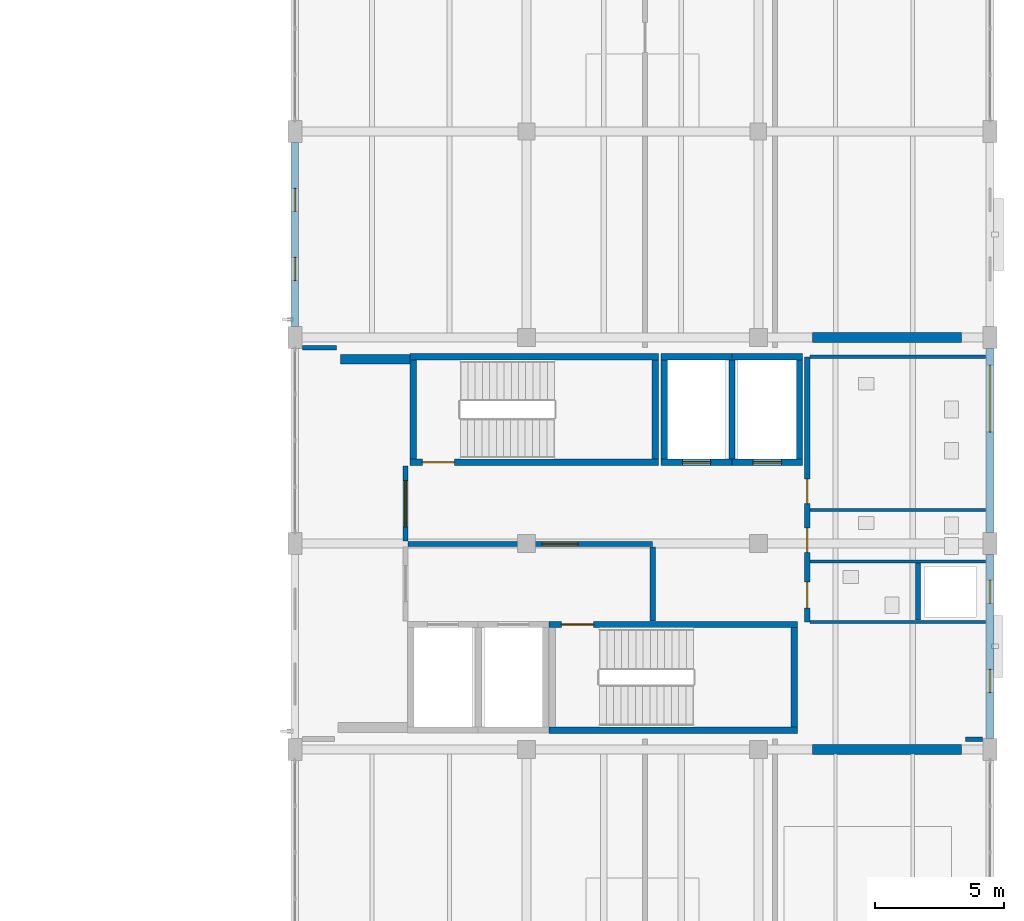
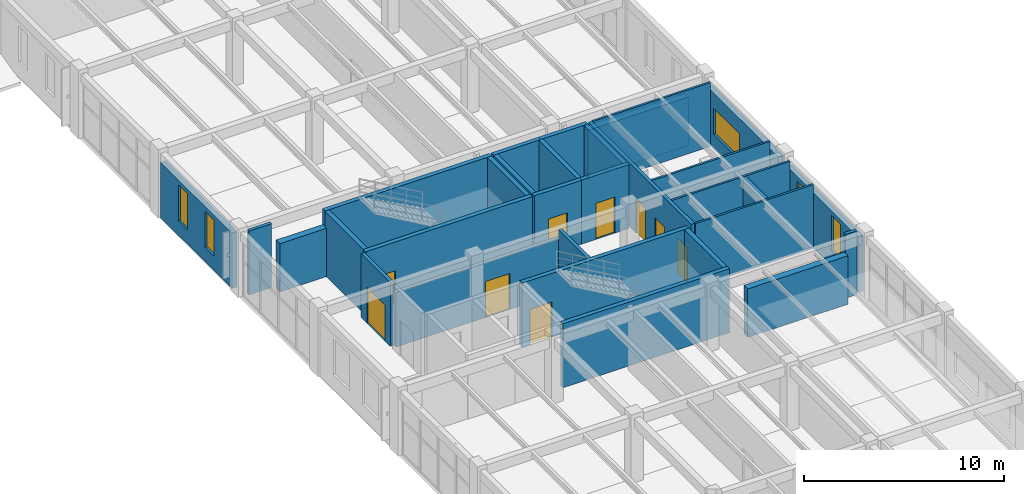
# One storey, part 59 of 71: 31 walls, 9 doors, 5 windows, 14 openings.
"""IFC4 building model written with IfcOpenShell, lengths in metres."""

from ifc_helpers import new_model, si_unit, derived_unit, direction, frame, frame_2d, origin, place, context, subcontext, project, spatial, rectangle, extrude, material, layer, layer_set, type_object, element, fill, save


model = new_model("IFC4")

# Units and contexts
model_context = context("Model", 3, precision=1e-05, world=origin(), true_north=direction((0.0, 1.0)))
body_context = subcontext(model_context, "Body", "Model", "MODEL_VIEW")
ifc_project = project(units=[si_unit("LENGTHUNIT", "METRE"), si_unit("AREAUNIT", "SQUARE_METRE"), si_unit("VOLUMEUNIT", "CUBIC_METRE"), si_unit("PLANEANGLEUNIT", "RADIAN"), si_unit("MASSUNIT", "GRAM", prefix="KILO"), derived_unit("THERMALTRANSMITTANCEUNIT", [(si_unit("MASSUNIT", "GRAM", prefix="KILO"), 1), (si_unit("TIMEUNIT", "SECOND"), -3), (si_unit("THERMODYNAMICTEMPERATUREUNIT", "KELVIN"), -1)])], contexts=[model_context])

# Site, building, storey
site_placement = place(None, origin())
site = spatial("IfcSite", under=ifc_project, at=site_placement, CompositionType="ELEMENT")
building_placement = place(site_placement, origin())
building = spatial("IfcBuilding", under=site, at=building_placement, Name="Zhenchuan Archway Interchange", CompositionType="ELEMENT")
storey_placement = place(building_placement, frame((0.0, 0.0, 18.60009765625)))
storey = spatial("IfcBuildingStorey", under=building, at=storey_placement, Name="L04", CompositionType="ELEMENT", Elevation=18.60009765625)

# Wall, openings, windows
ifc_material_1 = material(Name="Terracotta Masonry", Category="masonry")
ifc_layer_1 = layer(ifc_material_1, 0.300048828125)
ifc_layer_set_1 = layer_set([ifc_layer_1], Name="Terracotta Masonry")
wall_type_1 = type_object("IfcWallType", Name="EW_TERRA_300", PredefinedType="STANDARD", material=ifc_layer_set_1)
wall_1_placement = place(storey_placement, frame((144.0, 64.423095703125, 0.0), z_axis=(0.0, 0.0, 1.0), x_axis=(0.0, 1.0, 0.0)))
wall_1 = element("IfcWall", 1, at=wall_1_placement, inside=storey, type_object=wall_type_1, Name="Exterior wall L04-011", PredefinedType="STANDARD", context=body_context, shape_type="SweptSolid", body=[
    extrude(rectangle(XDim=7.15380859375, YDim=0.300048828125, at=frame_2d((3.576904296875, 0.0))), origin(), (0.0, 0.0, 1.0), 3.389892578125),
])
opening_1_placement = place(wall_1_placement, frame((1.78466796875, 0.0, 0.89990234375)))
opening_1 = element("IfcOpeningElement", 2, at=opening_1_placement, cuts=wall_1, Name="Opening W-12", PredefinedType="OPENING", context=body_context, shape_type="SweptSolid", body=[
    extrude(rectangle(XDim=0.89990234375, YDim=2.199951171875, at=frame_2d((0.449951171875, 1.10009765625))), frame((0.0, 0.162109375, 0.0), z_axis=(0.0, -1.0, 0.0), x_axis=(1.0, 0.0, 0.0)), (0.0, 0.0, 1.0), 0.323974609375),
])
opening_2_placement = place(wall_1_placement, frame((4.46923828125, 0.0, 0.89990234375)))
opening_2 = element("IfcOpeningElement", 3, at=opening_2_placement, cuts=wall_1, Name="Opening W-12", PredefinedType="OPENING", context=body_context, shape_type="SweptSolid", body=[
    extrude(rectangle(XDim=0.89990234375, YDim=2.199951171875, at=frame_2d((0.449951171875, 1.10009765625))), frame((0.0, 0.162109375, 0.0), z_axis=(0.0, -1.0, 0.0), x_axis=(1.0, 0.0, 0.0)), (0.0, 0.0, 1.0), 0.323974609375),
])
ifc_material_2 = material(Name="Double Low-E Insulated Glazing", Category="glass")
window_type_1 = type_object("IfcWindowType", Name="WN_SLOT_900x2200", PartitioningType="SINGLE_PANEL", PredefinedType="WINDOW", material=ifc_material_2)
window_1_placement = place(opening_1_placement, origin())
window_1 = element("IfcWindow", 4, at=window_1_placement, inside=storey, type_object=window_type_1, Name="Window L04-0318", OverallHeight=2.199951171875, OverallWidth=0.89990234375, PartitioningType="SINGLE_PANEL", PredefinedType="WINDOW", context=body_context, shape_type="SweptSolid", body=[
    extrude(rectangle(XDim=0.89990234375, YDim=2.199951171875, at=frame_2d((0.449951171875, 1.10009765625))), frame((0.0, 0.030029296875, 0.0), z_axis=(0.0, -1.0, 0.0), x_axis=(1.0, 0.0, 0.0)), (0.0, 0.0, 1.0), 0.06005859375),
])
fill(opening_1, window_1)
window_2_placement = place(opening_2_placement, origin())
window_2 = element("IfcWindow", 5, at=window_2_placement, inside=storey, type_object=window_type_1, Name="Window L04-0319", OverallHeight=2.199951171875, OverallWidth=0.89990234375, PartitioningType="SINGLE_PANEL", PredefinedType="WINDOW", context=body_context, shape_type="SweptSolid", body=[
    extrude(rectangle(XDim=0.89990234375, YDim=2.199951171875, at=frame_2d((0.449951171875, 1.10009765625))), frame((0.0, 0.030029296875, 0.0), z_axis=(0.0, -1.0, 0.0), x_axis=(1.0, 0.0, 0.0)), (0.0, 0.0, 1.0), 0.06005859375),
])
fill(opening_2, window_2)

# Wall, opening, window
wall_2_placement = place(storey_placement, frame((171.0, 63.576904296875, 0.0), z_axis=(0.0, 0.0, 1.0), x_axis=(0.0, -1.0, 0.0)))
wall_2 = element("IfcWall", 6, at=wall_2_placement, inside=storey, type_object=wall_type_1, Name="Exterior wall L04-024", PredefinedType="STANDARD", context=body_context, shape_type="SweptSolid", body=[
    extrude(rectangle(XDim=7.15380859375, YDim=0.300048828125, at=frame_2d((3.576904296875, 0.0))), origin(), (0.0, 0.0, 1.0), 3.43994140625),
])
opening_3_placement = place(wall_2_placement, frame((0.6513671875, 0.0, 0.89990234375)))
opening_3 = element("IfcOpeningElement", 7, at=opening_3_placement, cuts=wall_2, Name="Opening W-09", PredefinedType="OPENING", context=body_context, shape_type="SweptSolid", body=[
    extrude(rectangle(XDim=2.60009765625, YDim=1.60009765625, at=frame_2d((1.300048828125, 0.800048828125))), frame((0.0, 0.162109375, 0.0), z_axis=(0.0, -1.0, 0.0), x_axis=(1.0, 0.0, 0.0)), (0.0, 0.0, 1.0), 0.323974609375),
])
window_type_2 = type_object("IfcWindowType", Name="WN_MOD_2600x1600", PartitioningType="SINGLE_PANEL", PredefinedType="WINDOW", material=ifc_material_2)
window_3_placement = place(opening_3_placement, origin())
window_3 = element("IfcWindow", 8, at=window_3_placement, inside=storey, type_object=window_type_2, Name="Window L04-0330", OverallHeight=1.60009765625, OverallWidth=2.60009765625, PartitioningType="SINGLE_PANEL", PredefinedType="WINDOW", context=body_context, shape_type="SweptSolid", body=[
    extrude(rectangle(XDim=2.60009765625, YDim=1.60009765625, at=frame_2d((1.300048828125, 0.800048828125))), frame((0.0, 0.030029296875, 0.0), z_axis=(0.0, -1.0, 0.0), x_axis=(1.0, 0.0, 0.0)), (0.0, 0.0, 1.0), 0.06005859375),
])
fill(opening_3, window_3)

# Wall, openings, windows
wall_3_placement = place(storey_placement, frame((171.0, 55.576904296875, 0.0), z_axis=(0.0, 0.0, 1.0), x_axis=(0.0, -1.0, 0.0)))
wall_3 = element("IfcWall", 9, at=wall_3_placement, inside=storey, type_object=wall_type_1, Name="Exterior wall L04-025", PredefinedType="STANDARD", context=body_context, shape_type="SweptSolid", body=[
    extrude(rectangle(XDim=7.15380859375, YDim=0.300048828125, at=frame_2d((3.576904296875, 0.0))), origin(), (0.0, 0.0, 1.0), 3.389892578125),
])
opening_4_placement = place(wall_3_placement, frame((1.001953125, 0.0, 0.89990234375)))
opening_4 = element("IfcOpeningElement", 10, at=opening_4_placement, cuts=wall_3, Name="Opening W-12", PredefinedType="OPENING", context=body_context, shape_type="SweptSolid", body=[
    extrude(rectangle(XDim=0.89990234375, YDim=2.199951171875, at=frame_2d((0.449951171875, 1.10009765625))), frame((0.0, 0.162109375, 0.0), z_axis=(0.0, -1.0, 0.0), x_axis=(1.0, 0.0, 0.0)), (0.0, 0.0, 1.0), 0.323974609375),
])
opening_5_placement = place(wall_3_placement, frame((4.46923828125, 0.0, 0.89990234375)))
opening_5 = element("IfcOpeningElement", 11, at=opening_5_placement, cuts=wall_3, Name="Opening W-12", PredefinedType="OPENING", context=body_context, shape_type="SweptSolid", body=[
    extrude(rectangle(XDim=0.89990234375, YDim=2.199951171875, at=frame_2d((0.449951171875, 1.10009765625))), frame((0.0, 0.162109375, 0.0), z_axis=(0.0, -1.0, 0.0), x_axis=(1.0, 0.0, 0.0)), (0.0, 0.0, 1.0), 0.323974609375),
])
window_4_placement = place(opening_4_placement, origin())
window_4 = element("IfcWindow", 12, at=window_4_placement, inside=storey, type_object=window_type_1, Name="Window L04-0331", OverallHeight=2.199951171875, OverallWidth=0.89990234375, PartitioningType="SINGLE_PANEL", PredefinedType="WINDOW", context=body_context, shape_type="SweptSolid", body=[
    extrude(rectangle(XDim=0.89990234375, YDim=2.199951171875, at=frame_2d((0.449951171875, 1.10009765625))), frame((0.0, 0.030029296875, 0.0), z_axis=(0.0, -1.0, 0.0), x_axis=(1.0, 0.0, 0.0)), (0.0, 0.0, 1.0), 0.06005859375),
])
fill(opening_4, window_4)
window_5_placement = place(opening_5_placement, origin())
window_5 = element("IfcWindow", 13, at=window_5_placement, inside=storey, type_object=window_type_1, Name="Window L04-0332", OverallHeight=2.199951171875, OverallWidth=0.89990234375, PartitioningType="SINGLE_PANEL", PredefinedType="WINDOW", context=body_context, shape_type="SweptSolid", body=[
    extrude(rectangle(XDim=0.89990234375, YDim=2.199951171875, at=frame_2d((0.449951171875, 1.10009765625))), frame((0.0, 0.030029296875, 0.0), z_axis=(0.0, -1.0, 0.0), x_axis=(1.0, 0.0, 0.0)), (0.0, 0.0, 1.0), 0.06005859375),
])
fill(opening_5, window_5)

# Walls
ifc_material_3 = material(Name="Concrete C50", Category="concrete")
ifc_layer_2 = layer(ifc_material_3, 0.3798828125)
ifc_layer_set_2 = layer_set([ifc_layer_2], Name="Concrete C50")
wall_type_2 = type_object("IfcWallType", Name="WL_CORE_380", PredefinedType="SHEAR", material=ifc_layer_set_2)
wall_4_placement = place(storey_placement, frame((145.77490234375, 63.14990234375, 0.0), z_axis=(0.0, 0.0, 1.0), x_axis=(1.0, 0.0, 0.0)))
element("IfcWall", 14, at=wall_4_placement, inside=storey, type_object=wall_type_2, Name="Operations lateral shear wall W-N (L04)", PredefinedType="SHEAR", context=body_context, shape_type="SweptSolid", body=[
    extrude(rectangle(XDim=2.7001953125, YDim=0.3798828125, at=frame_2d((1.35009765625, 0.0))), origin(), (0.0, 0.0, 1.0), 2.9599609375),
])
for number, where, z_axis, x_axis, name in (
    (15, (164.10009765625, 48.0, 0.0), (0.0, 0.0, 1.0), (1.0, 0.0, 0.0), "Operations lateral shear wall E-S (L04)"),
    (16, (164.10009765625, 64.0, 0.0), (0.0, 0.0, 1.0), (1.0, 0.0, 0.0), "Operations lateral shear wall E-N (L04)"),
):
    element("IfcWall", number, at=place(storey_placement, frame(where, z_axis=z_axis, x_axis=x_axis)), inside=storey, type_object=wall_type_2, Name=name, PredefinedType="SHEAR", context=body_context, shape_type="SweptSolid", body=[
        extrude(rectangle(XDim=5.7998046875, YDim=0.3798828125, at=frame_2d((2.89990234375, 0.0))), origin(), (0.0, 0.0, 1.0), 2.9599609375),
    ])

# Wall, opening, door
ifc_material_4 = material(Name="Autoclaved Aerated Concrete Block", Category="concrete")
ifc_layer_3 = layer(ifc_material_4, 0.199951171875)
ifc_layer_set_3 = layer_set([ifc_layer_3], Name="Autoclaved Aerated Concrete Block")
wall_type_3 = type_object("IfcWallType", Name="WL_FIRE_200", PredefinedType="STANDARD", material=ifc_layer_set_3)
wall_5_placement = place(storey_placement, frame((148.39990234375, 55.97998046875, 0.0), z_axis=(0.0, 0.0, 1.0), x_axis=(1.0, 0.0, 0.0)))
wall_5 = element("IfcWall", 17, at=wall_5_placement, inside=storey, type_object=wall_type_3, Name="Firefighting lift lobby smoke divider (L04)", PredefinedType="STANDARD", context=body_context, shape_type="SweptSolid", body=[
    extrude(rectangle(XDim=9.5, YDim=0.199951171875, at=frame_2d((4.75, 0.0))), origin(), (0.0, 0.0, 1.0), 3.33984375),
])
opening_6_placement = place(wall_5_placement, frame((5.199951171875, 0.0, 0.0)))
opening_6 = element("IfcOpeningElement", 18, at=opening_6_placement, cuts=wall_5, Name="Opening FD-04", PredefinedType="OPENING", context=body_context, shape_type="SweptSolid", body=[
    extrude(rectangle(XDim=1.39990234375, YDim=2.199951171875, at=frame_2d((0.699951171875, 1.10009765625))), frame((0.0, 0.11181640625, 0.0), z_axis=(0.0, -1.0, 0.0), x_axis=(1.0, 0.0, 0.0)), (0.0, 0.0, 1.0), 0.223876953125),
])
ifc_material_5 = material(Name="Painted Galvanised Steel", Category="steel")
door_type_1 = type_object("IfcDoorType", Name="DR_LOB_FD60", OperationType="DOUBLE_DOOR_SINGLE_SWING", PredefinedType="DOOR", material=ifc_material_5)
door_1_placement = place(opening_6_placement, origin())
door_1 = element("IfcDoor", 19, at=door_1_placement, inside=storey, type_object=door_type_1, Name="Firefighting to passenger lobby smoke door (L04)", OperationType="DOUBLE_DOOR_SINGLE_SWING", OverallHeight=2.199951171875, OverallWidth=1.39990234375, PredefinedType="DOOR", context=body_context, shape_type="SweptSolid", body=[
    extrude(rectangle(XDim=1.39990234375, YDim=2.199951171875, at=frame_2d((0.699951171875, 1.10009765625))), frame((0.0, 0.02490234375, 0.0), z_axis=(0.0, -1.0, 0.0), x_axis=(1.0, 0.0, 0.0)), (0.0, 0.0, 1.0), 0.050048828125),
])
fill(opening_6, door_1)

# Wall
wall_6_placement = place(storey_placement, frame((157.89990234375, 52.989990234375, 0.0), z_axis=(0.0, 0.0, 1.0), x_axis=(0.0, 1.0, 0.0)))
element("IfcWall", 20, at=wall_6_placement, inside=storey, type_object=wall_type_3, Name="Firefighting lift lobby east fire wall (L04)", PredefinedType="STANDARD", context=body_context, shape_type="SweptSolid", body=[
    extrude(rectangle(XDim=2.880126953125, YDim=0.199951171875, at=frame_2d((1.43994140625, 0.0))), origin(), (0.0, 0.0, 1.0), 3.909912109375),
])

# Wall, opening, door
wall_7_placement = place(storey_placement, frame((148.300048828125, 56.090087890625, 0.0), z_axis=(0.0, 0.0, 1.0), x_axis=(0.0, 1.0, 0.0)))
wall_7 = element("IfcWall", 21, at=wall_7_placement, inside=storey, type_object=wall_type_3, Name="Passenger lift lobby west fire wall (L04)", PredefinedType="STANDARD", context=body_context, shape_type="SweptSolid", body=[
    extrude(rectangle(XDim=2.919921875, YDim=0.199951171875, at=frame_2d((1.4599609375, 0.0))), origin(), (0.0, 0.0, 1.0), 3.909912109375),
])
opening_7_placement = place(wall_7_placement, frame((0.550048828125, 0.0, 0.0)))
opening_7 = element("IfcOpeningElement", 22, at=opening_7_placement, cuts=wall_7, Name="Opening ID-01", PredefinedType="OPENING", context=body_context, shape_type="SweptSolid", body=[
    extrude(rectangle(XDim=1.800048828125, YDim=2.199951171875, at=frame_2d((0.89990234375, 1.10009765625))), frame((0.0, 0.11181640625, 0.0), z_axis=(0.0, -1.0, 0.0), x_axis=(1.0, 0.0, 0.0)), (0.0, 0.0, 1.0), 0.223876953125),
])
ifc_material_6 = material(Name="Anodised Aluminium", Category="aluminium")
door_type_2 = type_object("IfcDoorType", Name="DR_LOBBY_DBL", OperationType="DOUBLE_DOOR_SINGLE_SWING", PredefinedType="DOOR", material=ifc_material_6)
door_2_placement = place(opening_7_placement, origin())
door_2 = element("IfcDoor", 23, at=door_2_placement, inside=storey, type_object=door_type_2, Name="Passenger lift lobby entrance door (L04)", OperationType="DOUBLE_DOOR_SINGLE_SWING", OverallHeight=2.199951171875, OverallWidth=1.800048828125, PredefinedType="DOOR", context=body_context, shape_type="SweptSolid", body=[
    extrude(rectangle(XDim=1.800048828125, YDim=2.199951171875, at=frame_2d((0.89990234375, 1.10009765625))), frame((0.0, 0.02490234375, 0.0), z_axis=(0.0, -1.0, 0.0), x_axis=(1.0, 0.0, 0.0)), (0.0, 0.0, 1.0), 0.050048828125),
])
fill(opening_7, door_2)

# Wall, openings, doors
wall_8_placement = place(storey_placement, frame((163.89990234375, 52.949951171875, 0.0), z_axis=(0.0, 0.0, 1.0), x_axis=(0.0, 1.0, 0.0)))
wall_8 = element("IfcWall", 24, at=wall_8_placement, inside=storey, type_object=wall_type_3, Name="Sanitary block west wall (L04)", PredefinedType="STANDARD", context=body_context, shape_type="SweptSolid", body=[
    extrude(rectangle(XDim=10.300048828125, YDim=0.199951171875, at=frame_2d((5.14990234375, 0.0))), origin(), (0.0, 0.0, 1.0), 3.909912109375),
])
opening_8_placement = place(wall_8_placement, frame((0.550048828125, 0.0, 0.0)))
opening_8 = element("IfcOpeningElement", 25, at=opening_8_placement, cuts=wall_8, Name="Opening ID-02", PredefinedType="OPENING", context=body_context, shape_type="SweptSolid", body=[
    extrude(rectangle(XDim=1.0, YDim=2.10009765625, at=frame_2d((0.5, 1.050048828125))), frame((0.0, 0.11181640625, 0.0), z_axis=(0.0, -1.0, 0.0), x_axis=(1.0, 0.0, 0.0)), (0.0, 0.0, 1.0), 0.223876953125),
])
opening_9_placement = place(wall_8_placement, frame((2.699951171875, 0.0, 0.0)))
opening_9 = element("IfcOpeningElement", 26, at=opening_9_placement, cuts=wall_8, Name="Opening ID-03", PredefinedType="OPENING", context=body_context, shape_type="SweptSolid", body=[
    extrude(rectangle(XDim=0.949951171875, YDim=2.10009765625, at=frame_2d((0.47509765625, 1.050048828125))), frame((0.0, 0.11181640625, 0.0), z_axis=(0.0, -1.0, 0.0), x_axis=(1.0, 0.0, 0.0)), (0.0, 0.0, 1.0), 0.223876953125),
])
opening_10_placement = place(wall_8_placement, frame((4.60009765625, 0.0, 0.0)))
opening_10 = element("IfcOpeningElement", 27, at=opening_10_placement, cuts=wall_8, Name="Opening ID-03", PredefinedType="OPENING", context=body_context, shape_type="SweptSolid", body=[
    extrude(rectangle(XDim=0.949951171875, YDim=2.10009765625, at=frame_2d((0.47509765625, 1.050048828125))), frame((0.0, 0.11181640625, 0.0), z_axis=(0.0, -1.0, 0.0), x_axis=(1.0, 0.0, 0.0)), (0.0, 0.0, 1.0), 0.223876953125),
])
ifc_material_7 = material(Name="Hardwood Timber", Category="wood")
door_type_3 = type_object("IfcDoorType", Name="DR_OPS_100", OperationType="NOTDEFINED", PredefinedType="DOOR", material=ifc_material_7)
door_3_placement = place(opening_8_placement, origin())
door_3 = element("IfcDoor", 28, at=door_3_placement, inside=storey, type_object=door_type_3, Name="Accessible WC door (L04)", OperationType="SINGLE_SWING_LEFT", OverallHeight=2.10009765625, OverallWidth=1.0, PredefinedType="DOOR", context=body_context, shape_type="SweptSolid", body=[
    extrude(rectangle(XDim=1.0, YDim=2.10009765625, at=frame_2d((0.5, 1.050048828125))), frame((0.0, 0.02490234375, 0.0), z_axis=(0.0, -1.0, 0.0), x_axis=(1.0, 0.0, 0.0)), (0.0, 0.0, 1.0), 0.050048828125),
])
fill(opening_8, door_3)
door_type_4 = type_object("IfcDoorType", Name="DR_WC_95", OperationType="NOTDEFINED", PredefinedType="DOOR", material=ifc_material_7)
door_4_placement = place(opening_9_placement, origin())
door_4 = element("IfcDoor", 29, at=door_4_placement, inside=storey, type_object=door_type_4, Name="Male toilet door (L04)", OperationType="SINGLE_SWING_RIGHT", OverallHeight=2.10009765625, OverallWidth=0.949951171875, PredefinedType="DOOR", context=body_context, shape_type="SweptSolid", body=[
    extrude(rectangle(XDim=0.949951171875, YDim=2.10009765625, at=frame_2d((0.47509765625, 1.050048828125))), frame((0.0, 0.02490234375, 0.0), z_axis=(0.0, -1.0, 0.0), x_axis=(1.0, 0.0, 0.0)), (0.0, 0.0, 1.0), 0.050048828125),
])
fill(opening_9, door_4)
door_5_placement = place(opening_10_placement, origin())
door_5 = element("IfcDoor", 30, at=door_5_placement, inside=storey, type_object=door_type_4, Name="Female toilet door (L04)", OperationType="SINGLE_SWING_LEFT", OverallHeight=2.10009765625, OverallWidth=0.949951171875, PredefinedType="DOOR", context=body_context, shape_type="SweptSolid", body=[
    extrude(rectangle(XDim=0.949951171875, YDim=2.10009765625, at=frame_2d((0.47509765625, 1.050048828125))), frame((0.0, 0.02490234375, 0.0), z_axis=(0.0, -1.0, 0.0), x_axis=(1.0, 0.0, 0.0)), (0.0, 0.0, 1.0), 0.050048828125),
])
fill(opening_10, door_5)

# Wall
wall_9_placement = place(storey_placement, frame((168.199951171875, 53.02001953125, 0.0), z_axis=(0.0, 0.0, 1.0), x_axis=(0.0, 1.0, 0.0)))
element("IfcWall", 31, at=wall_9_placement, inside=storey, type_object=wall_type_3, Name="MEP riser west fire wall (L04)", PredefinedType="STANDARD", context=body_context, shape_type="SweptSolid", body=[
    extrude(rectangle(XDim=2.2099609375, YDim=0.199951171875, at=frame_2d((1.10498046875, 0.0))), origin(), (0.0, 0.0, 1.0), 3.909912109375),
])

# Wall, opening, door
ifc_material_8 = material(Name="Concrete C40", Category="concrete")
ifc_layer_4 = layer(ifc_material_8, 0.239990234375)
ifc_layer_set_4 = layer_set([ifc_layer_4], Name="Concrete C40")
wall_type_4 = type_object("IfcWallType", Name="WL_LIFT_240", PredefinedType="SHEAR", material=ifc_layer_set_4)
wall_10_placement = place(storey_placement, frame((158.22998046875, 59.14990234375, 0.0), z_axis=(0.0, 0.0, 1.0), x_axis=(1.0, 0.0, 0.0)))
wall_10 = element("IfcWall", 32, at=wall_10_placement, inside=storey, type_object=wall_type_4, Name="Lift LF-06 south shaft wall (L04)", PredefinedType="SHEAR", context=body_context, shape_type="SweptSolid", body=[
    extrude(rectangle(XDim=2.7451171875, YDim=0.239990234375, at=frame_2d((1.37255859375, 0.0))), origin(), (0.0, 0.0, 1.0), 3.909912109375),
])
opening_11_placement = place(wall_10_placement, frame((0.820068359375, 0.0, 0.0)))
opening_11 = element("IfcOpeningElement", 33, at=opening_11_placement, cuts=wall_10, Name="Opening LD-01", PredefinedType="OPENING", context=body_context, shape_type="SweptSolid", body=[
    extrude(rectangle(XDim=1.10009765625, YDim=2.199951171875, at=frame_2d((0.550048828125, 1.10009765625))), frame((0.0, 0.1318359375, 0.0), z_axis=(0.0, -1.0, 0.0), x_axis=(1.0, 0.0, 0.0)), (0.0, 0.0, 1.0), 0.263916015625),
])
ifc_material_9 = material(Name="Stainless Steel 304", Category="steel")
door_type_5 = type_object("IfcDoorType", Name="DR_LIFT_LD110", OperationType="DOUBLE_DOOR_SLIDING", PredefinedType="DOOR", material=ifc_material_9)
door_6_placement = place(opening_11_placement, origin())
door_6 = element("IfcDoor", 34, at=door_6_placement, inside=storey, type_object=door_type_5, Name="Lift LF-06 landing door (L04)", OperationType="DOUBLE_DOOR_SLIDING", OverallHeight=2.199951171875, OverallWidth=1.10009765625, PredefinedType="DOOR", context=body_context, shape_type="SweptSolid", body=[
    extrude(rectangle(XDim=1.10009765625, YDim=2.199951171875, at=frame_2d((0.550048828125, 1.10009765625))), frame((0.0, 0.02490234375, 0.0), z_axis=(0.0, -1.0, 0.0), x_axis=(1.0, 0.0, 0.0)), (0.0, 0.0, 1.0), 0.050048828125),
])
fill(opening_11, door_6)

# Walls
wall_11_placement = place(storey_placement, frame((160.97509765625, 63.25, 0.0), z_axis=(0.0, 0.0, 1.0), x_axis=(-1.0, 0.0, 0.0)))
element("IfcWall", 35, at=wall_11_placement, inside=storey, type_object=wall_type_4, Name="Lift LF-06 north shaft wall (L04)", PredefinedType="SHEAR", context=body_context, shape_type="SweptSolid", body=[
    extrude(rectangle(XDim=2.7451171875, YDim=0.239990234375, at=frame_2d((1.37255859375, 0.0))), origin(), (0.0, 0.0, 1.0), 3.909912109375),
])
for number, where, z_axis, x_axis, name in (
    (36, (158.35009765625, 63.1298828125, 0.0), (0.0, 0.0, 1.0), (0.0, -1.0, 0.0), "Lift LF-06 west shaft wall (L04)"),
    (37, (160.97509765625, 59.27001953125, 0.0), (0.0, 0.0, 1.0), (0.0, 1.0, 0.0), "Lift LF-06 east shaft wall (L04)"),
):
    element("IfcWall", number, at=place(storey_placement, frame(where, z_axis=z_axis, x_axis=x_axis)), inside=storey, type_object=wall_type_4, Name=name, PredefinedType="SHEAR", context=body_context, shape_type="SweptSolid", body=[
        extrude(rectangle(XDim=3.85986328125, YDim=0.239990234375, at=frame_2d((1.929931640625, 0.0))), origin(), (0.0, 0.0, 1.0), 3.909912109375),
    ])

# Wall, opening, door
wall_12_placement = place(storey_placement, frame((160.97509765625, 59.14990234375, 0.0), z_axis=(0.0, 0.0, 1.0), x_axis=(1.0, 0.0, 0.0)))
wall_12 = element("IfcWall", 38, at=wall_12_placement, inside=storey, type_object=wall_type_4, Name="Lift LF-07 south shaft wall (L04)", PredefinedType="SHEAR", context=body_context, shape_type="SweptSolid", body=[
    extrude(rectangle(XDim=2.744873046875, YDim=0.239990234375, at=frame_2d((1.37255859375, 0.0))), origin(), (0.0, 0.0, 1.0), 3.909912109375),
])
opening_12_placement = place(wall_12_placement, frame((0.824951171875, 0.0, 0.0)))
opening_12 = element("IfcOpeningElement", 39, at=opening_12_placement, cuts=wall_12, Name="Opening LD-01", PredefinedType="OPENING", context=body_context, shape_type="SweptSolid", body=[
    extrude(rectangle(XDim=1.10009765625, YDim=2.199951171875, at=frame_2d((0.550048828125, 1.10009765625))), frame((0.0, 0.1318359375, 0.0), z_axis=(0.0, -1.0, 0.0), x_axis=(1.0, 0.0, 0.0)), (0.0, 0.0, 1.0), 0.263916015625),
])
door_7_placement = place(opening_12_placement, origin())
door_7 = element("IfcDoor", 40, at=door_7_placement, inside=storey, type_object=door_type_5, Name="Lift LF-07 landing door (L04)", OperationType="DOUBLE_DOOR_SLIDING", OverallHeight=2.199951171875, OverallWidth=1.10009765625, PredefinedType="DOOR", context=body_context, shape_type="SweptSolid", body=[
    extrude(rectangle(XDim=1.10009765625, YDim=2.199951171875, at=frame_2d((0.550048828125, 1.10009765625))), frame((0.0, 0.02490234375, 0.0), z_axis=(0.0, -1.0, 0.0), x_axis=(1.0, 0.0, 0.0)), (0.0, 0.0, 1.0), 0.050048828125),
])
fill(opening_12, door_7)

# Walls
wall_13_placement = place(storey_placement, frame((163.719970703125, 63.25, 0.0), z_axis=(0.0, 0.0, 1.0), x_axis=(-1.0, 0.0, 0.0)))
element("IfcWall", 41, at=wall_13_placement, inside=storey, type_object=wall_type_4, Name="Lift LF-07 north shaft wall (L04)", PredefinedType="SHEAR", context=body_context, shape_type="SweptSolid", body=[
    extrude(rectangle(XDim=2.744873046875, YDim=0.239990234375, at=frame_2d((1.37255859375, 0.0))), origin(), (0.0, 0.0, 1.0), 3.909912109375),
])
wall_14_placement = place(storey_placement, frame((163.60009765625, 59.27001953125, 0.0), z_axis=(0.0, 0.0, 1.0), x_axis=(0.0, 1.0, 0.0)))
element("IfcWall", 42, at=wall_14_placement, inside=storey, type_object=wall_type_4, Name="Lift LF-07 east shaft wall (L04)", PredefinedType="SHEAR", context=body_context, shape_type="SweptSolid", body=[
    extrude(rectangle(XDim=3.85986328125, YDim=0.239990234375, at=frame_2d((1.929931640625, 0.0))), origin(), (0.0, 0.0, 1.0), 3.909912109375),
])
ifc_material_10 = material(Name="Concrete Block Masonry", Category="masonry")
ifc_layer_5 = layer(ifc_material_10, 0.179931640625)
ifc_layer_set_5 = layer_set([ifc_layer_5], Name="Concrete Block Masonry")
wall_type_5 = type_object("IfcWallType", Name="WL_PART_180", PredefinedType="STANDARD", material=ifc_layer_set_5)
wall_15_placement = place(storey_placement, frame((170.050048828125, 48.39990234375, 0.0), z_axis=(0.0, 0.0, 1.0), x_axis=(1.0, 0.0, 0.0)))
element("IfcWall", 43, at=wall_15_placement, inside=storey, type_object=wall_type_5, Name="Metro Signalling Control Centre N partition (L04)", PredefinedType="STANDARD", context=body_context, shape_type="SweptSolid", body=[
    extrude(rectangle(XDim=0.64990234375, YDim=0.179931640625, at=frame_2d((0.324951171875, 0.0))), origin(), (0.0, 0.0, 1.0), 3.909912109375),
])
wall_16_placement = place(storey_placement, frame((144.300048828125, 63.60009765625, 0.0), z_axis=(0.0, 0.0, 1.0), x_axis=(1.0, 0.0, 0.0)))
element("IfcWall", 44, at=wall_16_placement, inside=storey, type_object=wall_type_5, Name="Tetra Trunked Radio Dispatch Room S partition (L04)", PredefinedType="STANDARD", context=body_context, shape_type="SweptSolid", body=[
    extrude(rectangle(XDim=1.324951171875, YDim=0.179931640625, at=frame_2d((0.66259765625, 0.0))), origin(), (0.0, 0.0, 1.0), 3.909912109375),
])

# Wall, opening, door
ifc_layer_6 = layer(ifc_material_8, 0.25)
ifc_layer_set_6 = layer_set([ifc_layer_6], Name="Concrete C40")
wall_type_6 = type_object("IfcWallType", Name="WL_STAIR_250", PredefinedType="SHEAR", material=ifc_layer_set_6)
wall_17_placement = place(storey_placement, frame((148.47509765625, 59.14990234375, 0.0), z_axis=(0.0, 0.0, 1.0), x_axis=(1.0, 0.0, 0.0)))
wall_17 = element("IfcWall", 45, at=wall_17_placement, inside=storey, type_object=wall_type_6, Name="Stair ST-O1 south wall (L04)", PredefinedType="SHEAR", context=body_context, shape_type="SweptSolid", body=[
    extrude(rectangle(XDim=9.64990234375, YDim=0.25, at=frame_2d((4.824951171875, 0.0))), origin(), (0.0, 0.0, 1.0), 3.909912109375),
])
opening_13_placement = place(wall_17_placement, frame((0.47509765625, 0.0, 0.0)))
opening_13 = element("IfcOpeningElement", 46, at=opening_13_placement, cuts=wall_17, Name="Opening FD-01", PredefinedType="OPENING", context=body_context, shape_type="SweptSolid", body=[
    extrude(rectangle(XDim=1.25, YDim=2.14990234375, at=frame_2d((0.625, 1.074951171875))), frame((0.0, 0.136962890625, 0.0), z_axis=(0.0, -1.0, 0.0), x_axis=(1.0, 0.0, 0.0)), (0.0, 0.0, 1.0), 0.27392578125),
])
door_type_6 = type_object("IfcDoorType", Name="DR_STAIR_FD90", OperationType="NOTDEFINED", PredefinedType="DOOR", material=ifc_material_5)
door_8_placement = place(opening_13_placement, origin())
door_8 = element("IfcDoor", 47, at=door_8_placement, inside=storey, type_object=door_type_6, Name="Stair ST-O1 fire door (L04)", OperationType="SINGLE_SWING_LEFT", OverallHeight=2.14990234375, OverallWidth=1.25, PredefinedType="DOOR", context=body_context, shape_type="SweptSolid", body=[
    extrude(rectangle(XDim=1.25, YDim=2.14990234375, at=frame_2d((0.625, 1.074951171875))), frame((0.0, 0.02490234375, 0.0), z_axis=(0.0, -1.0, 0.0), x_axis=(1.0, 0.0, 0.0)), (0.0, 0.0, 1.0), 0.050048828125),
])
fill(opening_13, door_8)

# Walls
wall_18_placement = place(storey_placement, frame((158.125, 63.25, 0.0), z_axis=(0.0, 0.0, 1.0), x_axis=(-1.0, 0.0, 0.0)))
element("IfcWall", 48, at=wall_18_placement, inside=storey, type_object=wall_type_6, Name="Stair ST-O1 north wall (L04)", PredefinedType="SHEAR", context=body_context, shape_type="SweptSolid", body=[
    extrude(rectangle(XDim=9.64990234375, YDim=0.25, at=frame_2d((4.824951171875, 0.0))), origin(), (0.0, 0.0, 1.0), 3.909912109375),
])
for number, where, z_axis, x_axis, name in (
    (49, (148.60009765625, 63.125, 0.0), (0.0, 0.0, 1.0), (0.0, -1.0, 0.0), "Stair ST-O1 west wall (L04)"),
    (50, (158.0, 59.27490234375, 0.0), (0.0, 0.0, 1.0), (0.0, 1.0, 0.0), "Stair ST-O1 east wall (L04)"),
):
    element("IfcWall", number, at=place(storey_placement, frame(where, z_axis=z_axis, x_axis=x_axis)), inside=storey, type_object=wall_type_6, Name=name, PredefinedType="SHEAR", context=body_context, shape_type="SweptSolid", body=[
        extrude(rectangle(XDim=3.85009765625, YDim=0.25, at=frame_2d((1.925048828125, 0.0))), origin(), (0.0, 0.0, 1.0), 3.909912109375),
    ])
wall_19_placement = place(storey_placement, frame((153.875, 48.75, 0.0), z_axis=(0.0, 0.0, 1.0), x_axis=(1.0, 0.0, 0.0)))
element("IfcWall", 51, at=wall_19_placement, inside=storey, type_object=wall_type_6, Name="Stair ST-O2 south wall (L04)", PredefinedType="SHEAR", context=body_context, shape_type="SweptSolid", body=[
    extrude(rectangle(XDim=9.64990234375, YDim=0.25, at=frame_2d((4.824951171875, 0.0))), origin(), (0.0, 0.0, 1.0), 3.909912109375),
])

# Wall, opening, door
wall_20_placement = place(storey_placement, frame((163.52490234375, 52.85009765625, 0.0), z_axis=(0.0, 0.0, 1.0), x_axis=(-1.0, 0.0, 0.0)))
wall_20 = element("IfcWall", 52, at=wall_20_placement, inside=storey, type_object=wall_type_6, Name="Stair ST-O2 north wall (L04)", PredefinedType="SHEAR", context=body_context, shape_type="SweptSolid", body=[
    extrude(rectangle(XDim=9.64990234375, YDim=0.25, at=frame_2d((4.824951171875, 0.0))), origin(), (0.0, 0.0, 1.0), 3.909912109375),
])
opening_14_placement = place(wall_20_placement, frame((7.925048828125, 0.0, 0.0)))
opening_14 = element("IfcOpeningElement", 53, at=opening_14_placement, cuts=wall_20, Name="Opening FD-01", PredefinedType="OPENING", context=body_context, shape_type="SweptSolid", body=[
    extrude(rectangle(XDim=1.25, YDim=2.14990234375, at=frame_2d((0.625, 1.074951171875))), frame((0.0, 0.136962890625, 0.0), z_axis=(0.0, -1.0, 0.0), x_axis=(1.0, 0.0, 0.0)), (0.0, 0.0, 1.0), 0.27392578125),
])
door_9_placement = place(opening_14_placement, origin())
door_9 = element("IfcDoor", 54, at=door_9_placement, inside=storey, type_object=door_type_6, Name="Stair ST-O2 fire door (L04)", OperationType="SINGLE_SWING_RIGHT", OverallHeight=2.14990234375, OverallWidth=1.25, PredefinedType="DOOR", context=body_context, shape_type="SweptSolid", body=[
    extrude(rectangle(XDim=1.25, YDim=2.14990234375, at=frame_2d((0.625, 1.074951171875))), frame((0.0, 0.02490234375, 0.0), z_axis=(0.0, -1.0, 0.0), x_axis=(1.0, 0.0, 0.0)), (0.0, 0.0, 1.0), 0.050048828125),
])
fill(opening_14, door_9)

# Walls
wall_21_placement = place(storey_placement, frame((163.39990234375, 48.875, 0.0), z_axis=(0.0, 0.0, 1.0), x_axis=(0.0, 1.0, 0.0)))
element("IfcWall", 55, at=wall_21_placement, inside=storey, type_object=wall_type_6, Name="Stair ST-O2 east wall (L04)", PredefinedType="SHEAR", context=body_context, shape_type="SweptSolid", body=[
    extrude(rectangle(XDim=3.85009765625, YDim=0.25, at=frame_2d((1.925048828125, 0.0))), origin(), (0.0, 0.0, 1.0), 3.909912109375),
])
ifc_material_11 = material(Name="Gypsum Plasterboard", Category="gypsum")
ifc_layer_7 = layer(ifc_material_11, 0.1201171875)
ifc_layer_set_7 = layer_set([ifc_layer_7], Name="Gypsum Plasterboard")
wall_type_7 = type_object("IfcWallType", Name="WL_WC_120", PredefinedType="STANDARD", material=ifc_layer_set_7)
for number, where, z_axis, x_axis, name in (
    (56, (164.010009765625, 52.949951171875, 0.0), (0.0, 0.0, 1.0), (1.0, 0.0, 0.0), "Sanitary divider S (L04)"),
    (57, (164.010009765625, 55.300048828125, 0.0), (0.0, 0.0, 1.0), (1.0, 0.0, 0.0), "Sanitary divider AM (L04)"),
    (58, (164.010009765625, 57.300048828125, 0.0), (0.0, 0.0, 1.0), (1.0, 0.0, 0.0), "Sanitary divider MF (L04)"),
    (59, (164.010009765625, 63.25, 0.0), (0.0, 0.0, 1.0), (1.0, 0.0, 0.0), "Sanitary divider FN (L04)"),
):
    element("IfcWall", number, at=place(storey_placement, frame(where, z_axis=z_axis, x_axis=x_axis)), inside=storey, type_object=wall_type_7, Name=name, PredefinedType="STANDARD", context=body_context, shape_type="SweptSolid", body=[
        extrude(rectangle(XDim=6.824951171875, YDim=0.1201171875, at=frame_2d((3.41259765625, 0.0))), origin(), (0.0, 0.0, 1.0), 3.909912109375),
    ])

save(model, "model.ifc")
